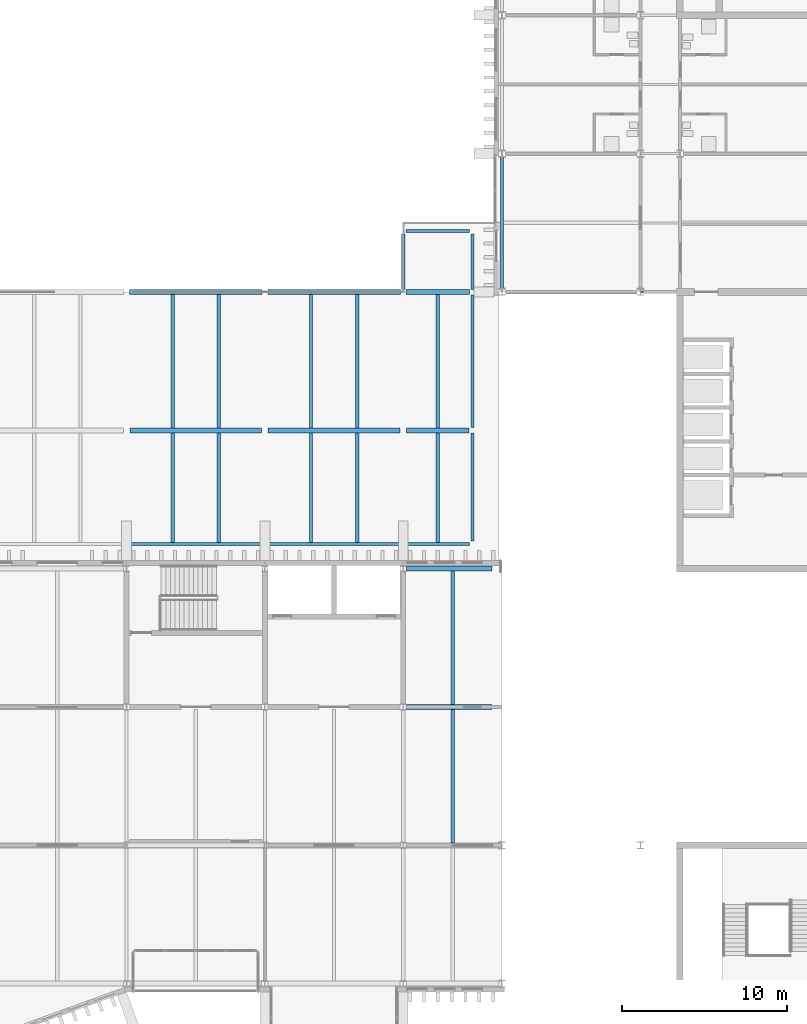
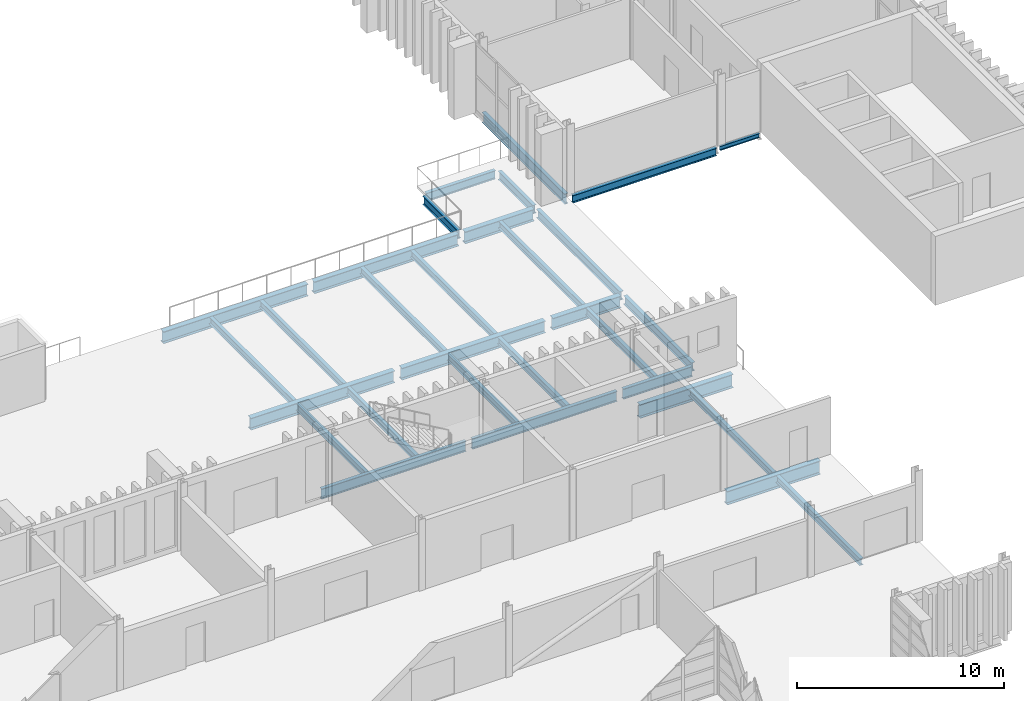
# One storey, part 38 of 96: 31 beams.
"""IFC4 building model written with IfcOpenShell, lengths in metres."""

from ifc_helpers import new_model, si_unit, direction, frame, origin, origin_2d, place, context, subcontext, project, spatial, i_section, extrude, material, material_profile, profile_set, type_object, element, save


model = new_model("IFC4")

# Units and contexts
model_context = context("Model", 3, precision=1e-05, world=origin(), true_north=direction((0.0, 1.0)))
body_context = subcontext(model_context, "Body", "Model", "MODEL_VIEW")
ifc_project = project(units=[si_unit("LENGTHUNIT", "METRE"), si_unit("AREAUNIT", "SQUARE_METRE"), si_unit("VOLUMEUNIT", "CUBIC_METRE"), si_unit("PLANEANGLEUNIT", "RADIAN"), si_unit("MASSUNIT", "GRAM", prefix="KILO")], contexts=[model_context])

# Site, building, storey
site_placement = place(None, origin())
site = spatial("IfcSite", under=ifc_project, at=site_placement, CompositionType="ELEMENT")
building_placement = place(site_placement, origin())
building = spatial("IfcBuilding", under=site, at=building_placement, Name="Cresset Court Congress Hotel", CompositionType="ELEMENT")
storey_placement = place(building_placement, frame((0.0, 0.0, 6.0)))
storey = spatial("IfcBuildingStorey", under=building, at=storey_placement, Name="L01", CompositionType="ELEMENT", Elevation=6.0)

# Beams
ifc_material_1 = material(Name="Structural steel Q355B", Category="steel")
ifc_material_profile_1 = material_profile(ifc_material_1, i_section(OverallWidth=0.199951171875, OverallDepth=0.39990234375, WebThickness=0.008056640625, FlangeThickness=0.012939453125, FilletRadius=0.01611328125, at=origin_2d()), Name="HN400x200x8x13")
ifc_profile_set_1 = profile_set([ifc_material_profile_1], Name="Structural steel Q355B")
beam_type_1 = type_object("IfcBeamType", Name="Steel beam HN400x200x8x13", PredefinedType="BEAM", material=ifc_profile_set_1)
beam_1_placement = place(storey_placement, frame((137.199951171875, 26.800048828125, -0.35009765625), z_axis=(0.0, 1.0, 0.0), x_axis=(-1.0, 0.0, 0.0)))
element("IfcBeam", 1, at=beam_1_placement, inside=storey, type_object=beam_type_1, Name="S.dbm.L01.S061", PredefinedType="BEAM", context=body_context, shape_type="SweptSolid", body=[
    extrude(i_section(OverallWidth=0.199951171875, OverallDepth=0.39990234375, WebThickness=0.008056640625, FlangeThickness=0.012939453125, FilletRadius=0.01611328125, at=origin_2d()), origin(), (0.0, 0.0, 1.0), 6.64990234375),
])
beam_2_placement = place(storey_placement, frame((137.199951171875, 33.75, -0.35009765625), z_axis=(0.0, 1.0, 0.0), x_axis=(-1.0, 0.0, 0.0)))
element("IfcBeam", 2, at=beam_2_placement, inside=storey, type_object=beam_type_1, Name="S.dbm.L01.S062", PredefinedType="BEAM", context=body_context, shape_type="SweptSolid", body=[
    extrude(i_section(OverallWidth=0.199951171875, OverallDepth=0.39990234375, WebThickness=0.008056640625, FlangeThickness=0.012939453125, FilletRadius=0.01611328125, at=origin_2d()), origin(), (0.0, 0.0, 1.0), 8.10009765625),
])
beam_3_placement = place(storey_placement, frame((140.0, 26.800048828125, -0.35009765625), z_axis=(0.0, 1.0, 0.0), x_axis=(-1.0, 0.0, 0.0)))
element("IfcBeam", 3, at=beam_3_placement, inside=storey, type_object=beam_type_1, Name="S.dbm.L01.S063", PredefinedType="BEAM", context=body_context, shape_type="SweptSolid", body=[
    extrude(i_section(OverallWidth=0.199951171875, OverallDepth=0.39990234375, WebThickness=0.008056640625, FlangeThickness=0.012939453125, FilletRadius=0.01611328125, at=origin_2d()), origin(), (0.0, 0.0, 1.0), 6.64990234375),
])
beam_4_placement = place(storey_placement, frame((140.0, 33.75, -0.35009765625), z_axis=(0.0, 1.0, 0.0), x_axis=(-1.0, 0.0, 0.0)))
element("IfcBeam", 4, at=beam_4_placement, inside=storey, type_object=beam_type_1, Name="S.dbm.L01.S064", PredefinedType="BEAM", context=body_context, shape_type="SweptSolid", body=[
    extrude(i_section(OverallWidth=0.199951171875, OverallDepth=0.39990234375, WebThickness=0.008056640625, FlangeThickness=0.012939453125, FilletRadius=0.01611328125, at=origin_2d()), origin(), (0.0, 0.0, 1.0), 8.10009765625),
])
beam_5_placement = place(storey_placement, frame((145.60009765625, 26.800048828125, -0.35009765625), z_axis=(0.0, 1.0, 0.0), x_axis=(-1.0, 0.0, 0.0)))
element("IfcBeam", 5, at=beam_5_placement, inside=storey, type_object=beam_type_1, Name="S.dbm.L01.S065", PredefinedType="BEAM", context=body_context, shape_type="SweptSolid", body=[
    extrude(i_section(OverallWidth=0.199951171875, OverallDepth=0.39990234375, WebThickness=0.008056640625, FlangeThickness=0.012939453125, FilletRadius=0.01611328125, at=origin_2d()), origin(), (0.0, 0.0, 1.0), 6.64990234375),
])
beam_6_placement = place(storey_placement, frame((145.60009765625, 33.75, -0.35009765625), z_axis=(0.0, 1.0, 0.0), x_axis=(-1.0, 0.0, 0.0)))
element("IfcBeam", 6, at=beam_6_placement, inside=storey, type_object=beam_type_1, Name="S.dbm.L01.S066", PredefinedType="BEAM", context=body_context, shape_type="SweptSolid", body=[
    extrude(i_section(OverallWidth=0.199951171875, OverallDepth=0.39990234375, WebThickness=0.008056640625, FlangeThickness=0.012939453125, FilletRadius=0.01611328125, at=origin_2d()), origin(), (0.0, 0.0, 1.0), 8.10009765625),
])
beam_7_placement = place(storey_placement, frame((148.39990234375, 26.800048828125, -0.35009765625), z_axis=(0.0, 1.0, 0.0), x_axis=(-1.0, 0.0, 0.0)))
element("IfcBeam", 7, at=beam_7_placement, inside=storey, type_object=beam_type_1, Name="S.dbm.L01.S067", PredefinedType="BEAM", context=body_context, shape_type="SweptSolid", body=[
    extrude(i_section(OverallWidth=0.199951171875, OverallDepth=0.39990234375, WebThickness=0.008056640625, FlangeThickness=0.012939453125, FilletRadius=0.01611328125, at=origin_2d()), origin(), (0.0, 0.0, 1.0), 6.64990234375),
])
beam_8_placement = place(storey_placement, frame((148.39990234375, 33.75, -0.35009765625), z_axis=(0.0, 1.0, 0.0), x_axis=(-1.0, 0.0, 0.0)))
element("IfcBeam", 8, at=beam_8_placement, inside=storey, type_object=beam_type_1, Name="S.dbm.L01.S068", PredefinedType="BEAM", context=body_context, shape_type="SweptSolid", body=[
    extrude(i_section(OverallWidth=0.199951171875, OverallDepth=0.39990234375, WebThickness=0.008056640625, FlangeThickness=0.012939453125, FilletRadius=0.01611328125, at=origin_2d()), origin(), (0.0, 0.0, 1.0), 8.10009765625),
])
beam_9_placement = place(storey_placement, frame((153.300048828125, 26.800048828125, -0.35009765625), z_axis=(0.0, 1.0, 0.0), x_axis=(-1.0, 0.0, 0.0)))
element("IfcBeam", 9, at=beam_9_placement, inside=storey, type_object=beam_type_1, Name="S.dbm.L01.S069", PredefinedType="BEAM", context=body_context, shape_type="SweptSolid", body=[
    extrude(i_section(OverallWidth=0.199951171875, OverallDepth=0.39990234375, WebThickness=0.008056640625, FlangeThickness=0.012939453125, FilletRadius=0.01611328125, at=origin_2d()), origin(), (0.0, 0.0, 1.0), 6.64990234375),
])
beam_10_placement = place(storey_placement, frame((153.300048828125, 33.75, -0.35009765625), z_axis=(0.0, 1.0, 0.0), x_axis=(-1.0, 0.0, 0.0)))
element("IfcBeam", 10, at=beam_10_placement, inside=storey, type_object=beam_type_1, Name="S.dbm.L01.S070", PredefinedType="BEAM", context=body_context, shape_type="SweptSolid", body=[
    extrude(i_section(OverallWidth=0.199951171875, OverallDepth=0.39990234375, WebThickness=0.008056640625, FlangeThickness=0.012939453125, FilletRadius=0.01611328125, at=origin_2d()), origin(), (0.0, 0.0, 1.0), 8.10009765625),
])
ifc_material_2 = material(Name="Structural steel Q355B", Category="steel")
ifc_material_profile_2 = material_profile(ifc_material_2, i_section(OverallWidth=0.198974609375, OverallDepth=0.446044921875, WebThickness=0.008056640625, FlangeThickness=0.011962890625, FilletRadius=0.012939453125, at=origin_2d()), Name="HN446x199x8x12")
ifc_profile_set_2 = profile_set([ifc_material_profile_2], Name="Structural steel Q355B")
beam_type_2 = type_object("IfcBeamType", Name="Steel beam HN446x199x8x12", PredefinedType="BEAM", material=ifc_profile_set_2)
beam_11_placement = place(storey_placement, frame((157.403564453125, 42.0, -0.373046875), z_axis=(1.0, 0.0, 0.0), x_axis=(0.0, 1.0, 0.0)))
element("IfcBeam", 11, at=beam_11_placement, inside=storey, type_object=beam_type_2, Name="A.bm.L01.W.frame0.5", PredefinedType="BEAM", context=body_context, shape_type="SweptSolid", body=[
    extrude(i_section(OverallWidth=0.198974609375, OverallDepth=0.446044921875, WebThickness=0.008056640625, FlangeThickness=0.011962890625, FilletRadius=0.012939453125, at=origin_2d()), origin(), (0.0, 0.0, 1.0), 7.992919921875),
])
ifc_material_3 = material(Name="Structural steel Q355B", Category="steel")
ifc_material_profile_3 = material_profile(ifc_material_3, i_section(OverallWidth=0.199951171875, OverallDepth=0.5, WebThickness=0.010009765625, FlangeThickness=0.01611328125, FilletRadius=0.012939453125, at=origin_2d()), Name="HN500x200x10x16")
ifc_profile_set_3 = profile_set([ifc_material_profile_3], Name="Structural steel Q355B")
beam_type_3 = type_object("IfcBeamType", Name="Steel beam HN500x200x10x16", PredefinedType="BEAM", material=ifc_profile_set_3)
beam_12_placement = place(storey_placement, frame((151.375, 45.699951171875, -0.39990234375), z_axis=(1.0, 0.0, 0.0), x_axis=(0.0, 1.0, 0.0)))
element("IfcBeam", 12, at=beam_12_placement, inside=storey, type_object=beam_type_3, Name="S.dbm.L01.P055", PredefinedType="BEAM", context=body_context, shape_type="SweptSolid", body=[
    extrude(i_section(OverallWidth=0.199951171875, OverallDepth=0.5, WebThickness=0.010009765625, FlangeThickness=0.01611328125, FilletRadius=0.012939453125, at=origin_2d()), origin(), (0.0, 0.0, 1.0), 3.85009765625),
])
for number, where, z_axis, x_axis, name in (
    (13, (151.199951171875, 42.14990234375, -0.39990234375), (0.0, 1.0, 0.0), (-1.0, 0.0, 0.0), "S.dbm.L01.P056"),
    (14, (155.39990234375, 42.14990234375, -0.39990234375), (0.0, 1.0, 0.0), (-1.0, 0.0, 0.0), "S.dbm.L01.P057"),
):
    element("IfcBeam", number, at=place(storey_placement, frame(where, z_axis=z_axis, x_axis=x_axis)), inside=storey, type_object=beam_type_3, Name=name, PredefinedType="BEAM", context=body_context, shape_type="SweptSolid", body=[
        extrude(i_section(OverallWidth=0.199951171875, OverallDepth=0.5, WebThickness=0.010009765625, FlangeThickness=0.01611328125, FilletRadius=0.012939453125, at=origin_2d()), origin(), (0.0, 0.0, 1.0), 3.375),
    ])
beam_13_placement = place(storey_placement, frame((155.39990234375, 26.875, -0.39990234375), z_axis=(0.0, 1.0, 0.0), x_axis=(-1.0, 0.0, 0.0)))
element("IfcBeam", 15, at=beam_13_placement, inside=storey, type_object=beam_type_3, Name="S.dbm.L01.P058", PredefinedType="BEAM", context=body_context, shape_type="SweptSolid", body=[
    extrude(i_section(OverallWidth=0.199951171875, OverallDepth=0.5, WebThickness=0.010009765625, FlangeThickness=0.01611328125, FilletRadius=0.012939453125, at=origin_2d()), origin(), (0.0, 0.0, 1.0), 6.550048828125),
])
beam_14_placement = place(storey_placement, frame((155.39990234375, 33.77490234375, -0.39990234375), z_axis=(0.0, 1.0, 0.0), x_axis=(-1.0, 0.0, 0.0)))
element("IfcBeam", 16, at=beam_14_placement, inside=storey, type_object=beam_type_3, Name="S.dbm.L01.P059", PredefinedType="BEAM", context=body_context, shape_type="SweptSolid", body=[
    extrude(i_section(OverallWidth=0.199951171875, OverallDepth=0.5, WebThickness=0.010009765625, FlangeThickness=0.01611328125, FilletRadius=0.012939453125, at=origin_2d()), origin(), (0.0, 0.0, 1.0), 8.050048828125),
])
ifc_material_4 = material(Name="Structural steel Q355B", Category="steel")
ifc_material_profile_4 = material_profile(ifc_material_4, i_section(OverallWidth=0.199951171875, OverallDepth=0.60009765625, WebThickness=0.010986328125, FlangeThickness=0.01708984375, FilletRadius=0.012939453125, at=origin_2d()), Name="HN600x200x11x17")
ifc_profile_set_4 = profile_set([ifc_material_profile_4], Name="Structural steel Q355B")
beam_type_4 = type_object("IfcBeamType", Name="Steel beam HN600x200x11x17", PredefinedType="BEAM", material=ifc_profile_set_4)
beam_15_placement = place(storey_placement, frame((134.574951171875, 26.699951171875, -0.449951171875), z_axis=(1.0, 0.0, 0.0), x_axis=(0.0, 1.0, 0.0)))
element("IfcBeam", 17, at=beam_15_placement, inside=storey, type_object=beam_type_4, Name="S.dbm.L01.P016", PredefinedType="BEAM", context=body_context, shape_type="SweptSolid", body=[
    extrude(i_section(OverallWidth=0.199951171875, OverallDepth=0.60009765625, WebThickness=0.010986328125, FlangeThickness=0.01708984375, FilletRadius=0.012939453125, at=origin_2d()), origin(), (0.0, 0.0, 1.0), 8.050048828125),
])
beam_16_placement = place(storey_placement, frame((142.97509765625, 26.699951171875, -0.449951171875), z_axis=(1.0, 0.0, 0.0), x_axis=(0.0, 1.0, 0.0)))
element("IfcBeam", 18, at=beam_16_placement, inside=storey, type_object=beam_type_4, Name="S.dbm.L01.P017", PredefinedType="BEAM", context=body_context, shape_type="SweptSolid", body=[
    extrude(i_section(OverallWidth=0.199951171875, OverallDepth=0.60009765625, WebThickness=0.010986328125, FlangeThickness=0.01708984375, FilletRadius=0.012939453125, at=origin_2d()), origin(), (0.0, 0.0, 1.0), 8.0498046875),
])
beam_17_placement = place(storey_placement, frame((151.375, 26.699951171875, -0.449951171875), z_axis=(1.0, 0.0, 0.0), x_axis=(0.0, 1.0, 0.0)))
element("IfcBeam", 19, at=beam_17_placement, inside=storey, type_object=beam_type_4, Name="S.dbm.L01.P018", PredefinedType="BEAM", context=body_context, shape_type="SweptSolid", body=[
    extrude(i_section(OverallWidth=0.199951171875, OverallDepth=0.60009765625, WebThickness=0.010986328125, FlangeThickness=0.01708984375, FilletRadius=0.012939453125, at=origin_2d()), origin(), (0.0, 0.0, 1.0), 3.85009765625),
])
ifc_material_5 = material(Name="Structural steel Q355B", Category="steel")
ifc_material_profile_5 = material_profile(ifc_material_5, i_section(OverallWidth=0.300048828125, OverallDepth=0.699951171875, WebThickness=0.012939453125, FlangeThickness=0.02392578125, FilletRadius=0.01806640625, at=origin_2d()), Name="HN700x300x13x24")
ifc_profile_set_5 = profile_set([ifc_material_profile_5], Name="Structural steel Q355B")
beam_type_5 = type_object("IfcBeamType", Name="Steel beam HN700x300x13x24", PredefinedType="BEAM", material=ifc_profile_set_5)
for number, where, z_axis, x_axis, name in (
    (20, (134.60009765625, 33.60009765625, -0.5), (1.0, 0.0, 0.0), (0.0, 1.0, 0.0), "S.dbm.L01.P034"),
    (21, (143.0, 33.60009765625, -0.5), (1.0, 0.0, 0.0), (0.0, 1.0, 0.0), "S.dbm.L01.P035"),
):
    element("IfcBeam", number, at=place(storey_placement, frame(where, z_axis=z_axis, x_axis=x_axis)), inside=storey, type_object=beam_type_5, Name=name, PredefinedType="BEAM", context=body_context, shape_type="SweptSolid", body=[
        extrude(i_section(OverallWidth=0.300048828125, OverallDepth=0.699951171875, WebThickness=0.012939453125, FlangeThickness=0.02392578125, FilletRadius=0.01806640625, at=origin_2d()), origin(), (0.0, 0.0, 1.0), 8.0),
    ])
beam_18_placement = place(storey_placement, frame((151.39990234375, 33.60009765625, -0.5), z_axis=(1.0, 0.0, 0.0), x_axis=(0.0, 1.0, 0.0)))
element("IfcBeam", 22, at=beam_18_placement, inside=storey, type_object=beam_type_5, Name="S.dbm.L01.P036", PredefinedType="BEAM", context=body_context, shape_type="SweptSolid", body=[
    extrude(i_section(OverallWidth=0.300048828125, OverallDepth=0.699951171875, WebThickness=0.012939453125, FlangeThickness=0.02392578125, FilletRadius=0.01806640625, at=origin_2d()), origin(), (0.0, 0.0, 1.0), 3.800048828125),
])
beam_19_placement = place(storey_placement, frame((134.574951171875, 42.0, -0.5), z_axis=(1.0, 0.0, 0.0), x_axis=(0.0, 1.0, 0.0)))
element("IfcBeam", 23, at=beam_19_placement, inside=storey, type_object=beam_type_5, Name="S.dbm.L01.P052", PredefinedType="BEAM", context=body_context, shape_type="SweptSolid", body=[
    extrude(i_section(OverallWidth=0.300048828125, OverallDepth=0.699951171875, WebThickness=0.012939453125, FlangeThickness=0.02392578125, FilletRadius=0.01806640625, at=origin_2d()), origin(), (0.0, 0.0, 1.0), 8.050048828125),
])
beam_20_placement = place(storey_placement, frame((142.97509765625, 42.0, -0.5), z_axis=(1.0, 0.0, 0.0), x_axis=(0.0, 1.0, 0.0)))
element("IfcBeam", 24, at=beam_20_placement, inside=storey, type_object=beam_type_5, Name="S.dbm.L01.P053", PredefinedType="BEAM", context=body_context, shape_type="SweptSolid", body=[
    extrude(i_section(OverallWidth=0.300048828125, OverallDepth=0.699951171875, WebThickness=0.012939453125, FlangeThickness=0.02392578125, FilletRadius=0.01806640625, at=origin_2d()), origin(), (0.0, 0.0, 1.0), 8.0498046875),
])
beam_21_placement = place(storey_placement, frame((151.375, 42.0, -0.5), z_axis=(1.0, 0.0, 0.0), x_axis=(0.0, 1.0, 0.0)))
element("IfcBeam", 25, at=beam_21_placement, inside=storey, type_object=beam_type_5, Name="S.dbm.L01.P054", PredefinedType="BEAM", context=body_context, shape_type="SweptSolid", body=[
    extrude(i_section(OverallWidth=0.300048828125, OverallDepth=0.699951171875, WebThickness=0.012939453125, FlangeThickness=0.02392578125, FilletRadius=0.01806640625, at=origin_2d()), origin(), (0.0, 0.0, 1.0), 3.85009765625),
])
ifc_material_6 = material(Name="Structural steel Q355B", Category="steel")
ifc_material_profile_6 = material_profile(ifc_material_6, i_section(OverallWidth=0.300048828125, OverallDepth=0.800048828125, WebThickness=0.013916015625, FlangeThickness=0.02587890625, FilletRadius=0.01806640625, at=origin_2d()), Name="HN800x300x14x26")
ifc_profile_set_6 = profile_set([ifc_material_profile_6], Name="Structural steel Q355B")
beam_type_6 = type_object("IfcBeamType", Name="Steel beam HN800x300x14x26", PredefinedType="BEAM", material=ifc_profile_set_6)
for number, where, z_axis, x_axis, name in (
    (26, (151.39990234375, 16.800048828125, -0.550048828125), (1.0, 0.0, 0.0), (0.0, 1.0, 0.0), "B.bx.L01.C19"),
    (27, (151.39990234375, 25.199951171875, -0.550048828125), (1.0, 0.0, 0.0), (0.0, 1.0, 0.0), "B.bx.L01.D19"),
):
    element("IfcBeam", number, at=place(storey_placement, frame(where, z_axis=z_axis, x_axis=x_axis)), inside=storey, type_object=beam_type_6, Name=name, PredefinedType="BEAM", context=body_context, shape_type="SweptSolid", body=[
        extrude(i_section(OverallWidth=0.300048828125, OverallDepth=0.800048828125, WebThickness=0.013916015625, FlangeThickness=0.02587890625, FilletRadius=0.01806640625, at=origin_2d()), origin(), (0.0, 0.0, 1.0), 5.2001953125),
    ])
ifc_material_7 = material(Name="Structural steel Q355B", Category="steel")
ifc_material_profile_7 = material_profile(ifc_material_7, i_section(OverallWidth=0.125, OverallDepth=0.25, WebThickness=0.006103515625, FlangeThickness=0.009033203125, FilletRadius=0.012939453125, at=origin_2d()), Name="HN250x125x6x9")
ifc_profile_set_7 = profile_set([ifc_material_profile_7], Name="Structural steel Q355B")
beam_type_7 = type_object("IfcBeamType", Name="Steel corridor beam HN250x125x6x9", PredefinedType="BEAM", material=ifc_profile_set_7)
beam_22_placement = place(storey_placement, frame((165.610107421875, 42.0, -0.27490234375), z_axis=(1.0, 0.0, 0.0), x_axis=(0.0, 1.0, 0.0)))
element("IfcBeam", 28, at=beam_22_placement, inside=storey, type_object=beam_type_7, Name="A.bm.L01.C.frame0.5", PredefinedType="BEAM", context=body_context, shape_type="SweptSolid", body=[
    extrude(i_section(OverallWidth=0.125, OverallDepth=0.25, WebThickness=0.006103515625, FlangeThickness=0.009033203125, FilletRadius=0.012939453125, at=origin_2d()), origin(), (0.0, 0.0, 1.0), 2.18994140625),
])
ifc_material_8 = material(Name="Structural steel Q355B", Category="steel")
ifc_material_profile_8 = material_profile(ifc_material_8, i_section(OverallWidth=0.199951171875, OverallDepth=0.60009765625, WebThickness=0.010986328125, FlangeThickness=0.01708984375, FilletRadius=0.012939453125, at=origin_2d()), Name="HN600x200x11x17")
ifc_profile_set_8 = profile_set([ifc_material_profile_8], Name="Structural steel Q355B")
beam_type_8 = type_object("IfcBeamType", Name="Steel girder HN600x200x11x17", PredefinedType="BEAM", material=ifc_profile_set_8)
beam_23_placement = place(storey_placement, frame((157.199951171875, 42.214111328125, -0.449951171875), z_axis=(0.0, 1.0, 0.0), x_axis=(-1.0, 0.0, 0.0)))
element("IfcBeam", 29, at=beam_23_placement, inside=storey, type_object=beam_type_8, Name="A.gir.L01.0.5", PredefinedType="BEAM", context=body_context, shape_type="SweptSolid", body=[
    extrude(i_section(OverallWidth=0.199951171875, OverallDepth=0.60009765625, WebThickness=0.010986328125, FlangeThickness=0.01708984375, FilletRadius=0.012939453125, at=origin_2d()), origin(), (0.0, 0.0, 1.0), 7.971923828125),
])
ifc_material_9 = material(Name="Structural steel Q355B", Category="steel")
ifc_material_profile_9 = material_profile(ifc_material_9, i_section(OverallWidth=0.199951171875, OverallDepth=0.39990234375, WebThickness=0.008056640625, FlangeThickness=0.012939453125, FilletRadius=0.01611328125, at=origin_2d()), Name="HN400x200x8x13")
ifc_profile_set_9 = profile_set([ifc_material_profile_9], Name="Structural steel Q355B")
beam_type_9 = type_object("IfcBeamType", Name="Steel joist HN400x200x8x13", PredefinedType="JOIST", material=ifc_profile_set_9)
beam_24_placement = place(storey_placement, frame((154.199951171875, 8.550048828125, -0.35009765625), z_axis=(0.0, 1.0, 0.0), x_axis=(-1.0, 0.0, 0.0)))
element("IfcBeam", 30, at=beam_24_placement, inside=storey, type_object=beam_type_9, Name="B.bj.L01.19B", PredefinedType="JOIST", context=body_context, shape_type="SweptSolid", body=[
    extrude(i_section(OverallWidth=0.199951171875, OverallDepth=0.39990234375, WebThickness=0.008056640625, FlangeThickness=0.012939453125, FilletRadius=0.01611328125, at=origin_2d()), origin(), (0.0, 0.0, 1.0), 8.099853515625),
])
beam_25_placement = place(storey_placement, frame((154.199951171875, 16.949951171875, -0.35009765625), z_axis=(0.0, 1.0, 0.0), x_axis=(-1.0, 0.0, 0.0)))
element("IfcBeam", 31, at=beam_25_placement, inside=storey, type_object=beam_type_9, Name="B.bj.L01.19C", PredefinedType="JOIST", context=body_context, shape_type="SweptSolid", body=[
    extrude(i_section(OverallWidth=0.199951171875, OverallDepth=0.39990234375, WebThickness=0.008056640625, FlangeThickness=0.012939453125, FilletRadius=0.01611328125, at=origin_2d()), origin(), (0.0, 0.0, 1.0), 8.10009765625),
])

save(model, "model.ifc")
